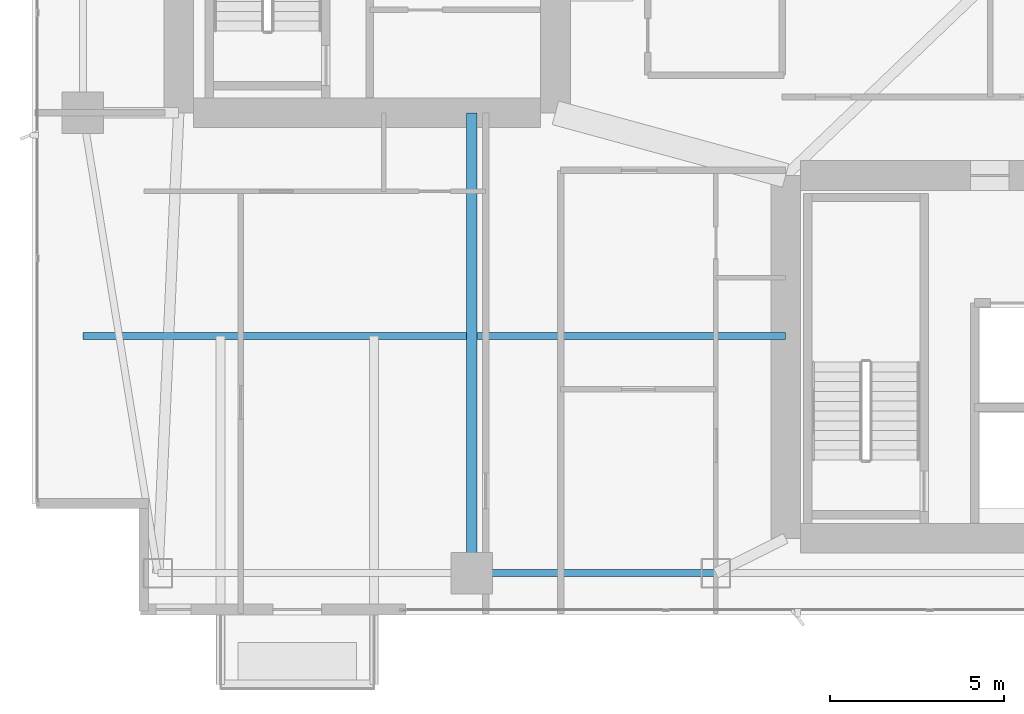
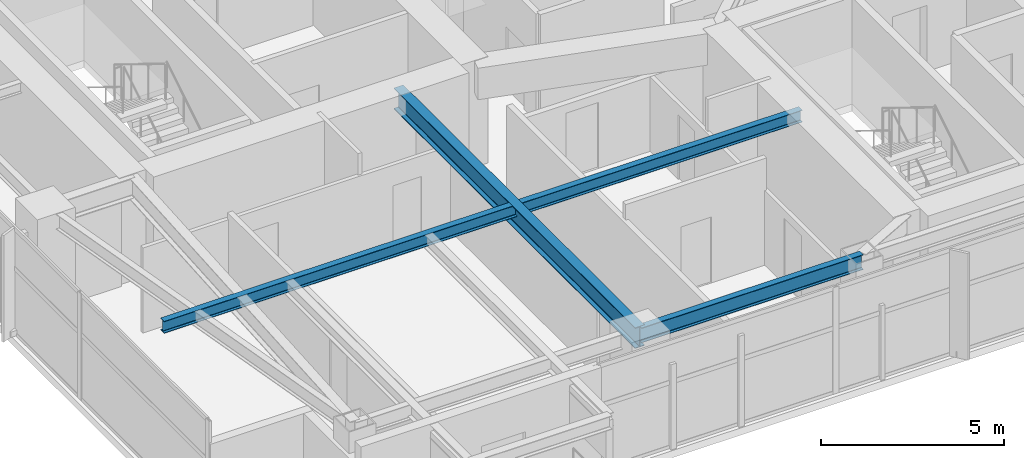
# One storey, part 5 of 28: 3 beams.
"""IFC4 building model written with IfcOpenShell, lengths in metres."""

from ifc_helpers import new_model, si_unit, direction, frame, origin, origin_2d, place, context, subcontext, project, spatial, i_section, extrude, material, material_profile, profile_set, type_object, element, save


model = new_model("IFC4")

# Units and contexts
model_context = context("Model", 3, precision=1e-05, world=origin(), true_north=direction((0.0, 1.0)))
body_context = subcontext(model_context, "Body", "Model", "MODEL_VIEW")
ifc_project = project(units=[si_unit("LENGTHUNIT", "METRE"), si_unit("AREAUNIT", "SQUARE_METRE"), si_unit("VOLUMEUNIT", "CUBIC_METRE"), si_unit("PLANEANGLEUNIT", "RADIAN"), si_unit("MASSUNIT", "GRAM", prefix="KILO")], contexts=[model_context])

# Site, building, storey
site_placement = place(None, origin())
site = spatial("IfcSite", under=ifc_project, at=site_placement, CompositionType="ELEMENT")
building_placement = place(site_placement, origin())
building = spatial("IfcBuilding", under=site, at=building_placement, Name="Calvorn Quay Hotel", CompositionType="ELEMENT")
storey_placement = place(building_placement, frame((0.0, 0.0, 116.39990234375)))
storey = spatial("IfcBuildingStorey", under=building, at=storey_placement, Name="L28", CompositionType="ELEMENT", Elevation=116.39990234375)

# Beams
ifc_material_1 = material(Name="Steel Q390GJC", Category="steel")
ifc_material_profile_1 = material_profile(ifc_material_1, i_section(OverallWidth=0.300048828125, OverallDepth=0.699951171875, WebThickness=0.012939453125, FlangeThickness=0.02392578125, FilletRadius=0.02392578125, at=origin_2d()), Name="HN700x300x13x24")
ifc_profile_set_1 = profile_set([ifc_material_profile_1], Name="Steel Q390GJC")
beam_type_1 = type_object("IfcBeamType", Name="BM-GIRD-MAIN", PredefinedType="BEAM", material=ifc_profile_set_1)
beam_1_placement = place(storey_placement, frame((12.60009765625, 3.60009765625, 3.190185546875), z_axis=(0.0, 1.0, 0.0), x_axis=(-1.0, 0.0, 0.0)))
element("IfcBeam", 1, at=beam_1_placement, inside=storey, type_object=beam_type_1, Name="Beam BG-L28-S1", PredefinedType="BEAM", context=body_context, shape_type="SweptSolid", body=[
    extrude(i_section(OverallWidth=0.300048828125, OverallDepth=0.699951171875, WebThickness=0.012939453125, FlangeThickness=0.02392578125, FilletRadius=0.02392578125, at=origin_2d()), origin(), (0.0, 0.0, 1.0), 13.199951171875),
])
ifc_material_2 = material(Name="Steel Q355B", Category="steel")
ifc_material_profile_2 = material_profile(ifc_material_2, i_section(OverallWidth=0.199951171875, OverallDepth=0.39990234375, WebThickness=0.008056640625, FlangeThickness=0.012939453125, FilletRadius=0.01611328125, at=origin_2d()), Name="HN400x200x8x13")
ifc_profile_set_2 = profile_set([ifc_material_profile_2], Name="Steel Q355B")
beam_type_2 = type_object("IfcBeamType", Name="BM-JOIST-TYP", PredefinedType="JOIST", material=ifc_profile_set_2)
beam_2_placement = place(storey_placement, frame((1.449951171875, 10.39990234375, 3.340087890625), z_axis=(1.0, 0.0, 0.0), x_axis=(0.0, 1.0, 0.0)))
element("IfcBeam", 2, at=beam_2_placement, inside=storey, type_object=beam_type_2, Name="Beam BJ-L28-W1", PredefinedType="JOIST", context=body_context, shape_type="SweptSolid", body=[
    extrude(i_section(OverallWidth=0.199951171875, OverallDepth=0.39990234375, WebThickness=0.008056640625, FlangeThickness=0.012939453125, FilletRadius=0.01611328125, at=origin_2d()), origin(), (0.0, 0.0, 1.0), 20.150146484375),
])
ifc_material_3 = material(Name="Steel Q355B", Category="steel")
ifc_material_profile_3 = material_profile(ifc_material_3, i_section(OverallWidth=0.199951171875, OverallDepth=0.5, WebThickness=0.010009765625, FlangeThickness=0.01611328125, FilletRadius=0.01611328125, at=origin_2d()), Name="HN500x200x10x16")
ifc_profile_set_3 = profile_set([ifc_material_profile_3], Name="Steel Q355B")
beam_type_3 = type_object("IfcBeamType", Name="BM-SPANDREL-Z1", PredefinedType="SPANDREL", material=ifc_profile_set_3)
beam_3_placement = place(storey_placement, frame((12.60009765625, 3.60009765625, 3.2900390625), z_axis=(1.0, 0.0, 0.0), x_axis=(0.0, 1.0, 0.0)))
element("IfcBeam", 3, at=beam_3_placement, inside=storey, type_object=beam_type_3, Name="Beam BSP-L28-S2", PredefinedType="SPANDREL", context=body_context, shape_type="SweptSolid", body=[
    extrude(i_section(OverallWidth=0.199951171875, OverallDepth=0.5, WebThickness=0.010009765625, FlangeThickness=0.01611328125, FilletRadius=0.01611328125, at=origin_2d()), origin(), (0.0, 0.0, 1.0), 7.0),
])

save(model, "model.ifc")
